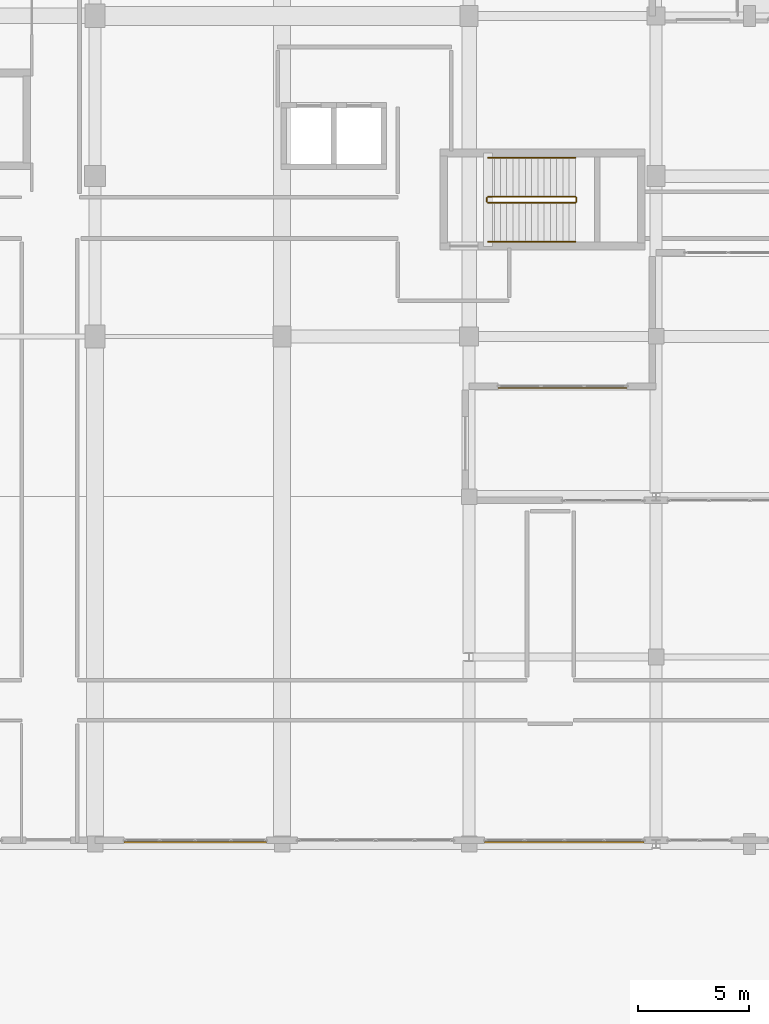
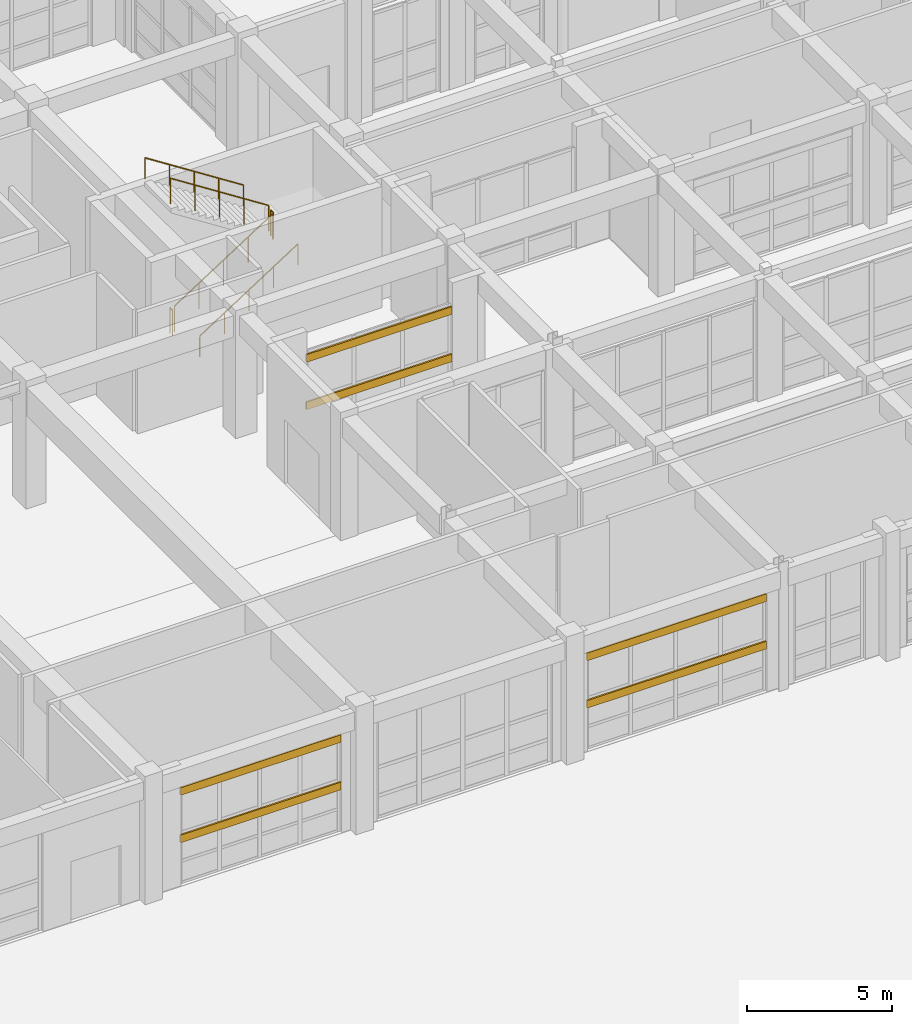
# One storey, part 145 of 148: 6 railings, 6 shading devices.
"""IFC4 building model written with IfcOpenShell, lengths in metres."""

from ifc_helpers import new_model, si_unit, direction, frame, origin, origin_2d, place, context, subcontext, project, spatial, hollow_rectangle, circle, extrude, material, material_profile, profile_set, type_object, element, save


model = new_model("IFC4")

# Units and contexts
model_context = context("Model", 3, precision=1e-05, world=origin(), true_north=direction((0.0, 1.0)))
body_context = subcontext(model_context, "Body", "Model", "MODEL_VIEW")
ifc_project = project(units=[si_unit("LENGTHUNIT", "METRE"), si_unit("AREAUNIT", "SQUARE_METRE"), si_unit("VOLUMEUNIT", "CUBIC_METRE"), si_unit("PLANEANGLEUNIT", "RADIAN"), si_unit("MASSUNIT", "GRAM", prefix="KILO")], contexts=[model_context])

# Site, building, storey
site_placement = place(None, origin())
site = spatial("IfcSite", under=ifc_project, at=site_placement, CompositionType="ELEMENT")
building_placement = place(site_placement, origin())
building = spatial("IfcBuilding", under=site, at=building_placement, Name="Quendrovan Civic Courthouse", CompositionType="ELEMENT")
storey_placement = place(building_placement, origin())
storey = spatial("IfcBuildingStorey", under=building, at=storey_placement, Name="L01", CompositionType="ELEMENT", Elevation=0.0)

# Railings
ifc_material_1 = material(Name="Painted galvanized steel", Category="steel")
railing_type_1 = type_object("IfcRailingType", Name="RL-STR-GUARD1100", PredefinedType="GUARDRAIL", material=ifc_material_1)
railing_1_placement = place(storey_placement, frame((84.85009765625, 93.60009765625, 0.179931640625)))
element("IfcRailing", 1, at=railing_1_placement, inside=storey, type_object=railing_type_1, Name="L01 ST3 stair guard 1", PredefinedType="GUARDRAIL", context=body_context, shape_type="SweptSolid", body=[
    extrude(circle(Radius=0.02392578125, at=origin_2d()), frame((0.0, 0.0, 1.076171875), z_axis=(0.841171666519, 0.0, 0.540768182723), x_axis=(0.0, 1.0, 0.0)), (0.0, 0.0, 1.0), 4.66015625),
    extrude(circle(Radius=0.02099609375, at=origin_2d()), origin(), (0.0, 0.0, 1.0), 1.052001953125),
    extrude(circle(Radius=0.02099609375, at=origin_2d()), frame((0.97998046875, 0.0, 0.6298828125)), (0.0, 0.0, 1.0), 1.052001953125),
    extrude(circle(Radius=0.02099609375, at=origin_2d()), frame((1.9599609375, 0.0, 1.260009765625)), (0.0, 0.0, 1.0), 1.052001953125),
    extrude(circle(Radius=0.02099609375, at=origin_2d()), frame((2.93994140625, 0.0, 1.89013671875)), (0.0, 0.0, 1.0), 1.052001953125),
    extrude(circle(Radius=0.02099609375, at=origin_2d()), frame((3.919921875, 0.0, 2.52001953125)), (0.0, 0.0, 1.0), 1.052001953125),
])
railing_2_placement = place(storey_placement, frame((88.820068359375, 93.64990234375, 2.699951171875)))
element("IfcRailing", 2, at=railing_2_placement, inside=storey, type_object=railing_type_1, Name="L01 ST3 stair guard 2", PredefinedType="GUARDRAIL", context=body_context, shape_type="SweptSolid", body=[
    extrude(circle(Radius=0.02392578125, at=origin_2d()), frame((0.0, 0.0, 1.076171875), z_axis=(0.0, 1.0, 0.0), x_axis=(-1.0, 0.0, 0.0)), (0.0, 0.0, 1.0), 0.18017578125),
    extrude(circle(Radius=0.02099609375, at=origin_2d()), origin(), (0.0, 0.0, 1.0), 1.052001953125),
    extrude(circle(Radius=0.02099609375, at=origin_2d()), frame((0.0, 0.18017578125, 0.0)), (0.0, 0.0, 1.0), 1.052001953125),
])
railing_3_placement = place(storey_placement, frame((88.77001953125, 93.8798828125, 2.8798828125)))
element("IfcRailing", 3, at=railing_3_placement, inside=storey, type_object=railing_type_1, Name="L01 ST3 stair guard 3", PredefinedType="GUARDRAIL", context=body_context, shape_type="SweptSolid", body=[
    extrude(circle(Radius=0.02392578125, at=origin_2d()), frame((0.0, 0.0, 1.076171875), z_axis=(-0.841171666519, 0.0, 0.540768182723), x_axis=(0.0, -1.0, 0.0)), (0.0, 0.0, 1.0), 4.66015625),
    extrude(circle(Radius=0.02099609375, at=origin_2d()), origin(), (0.0, 0.0, 1.0), 1.052001953125),
    extrude(circle(Radius=0.02099609375, at=origin_2d()), frame((-0.97998046875, 0.0, 0.6298828125)), (0.0, 0.0, 1.0), 1.052001953125),
    extrude(circle(Radius=0.02099609375, at=origin_2d()), frame((-1.9599609375, 0.0, 1.260009765625)), (0.0, 0.0, 1.0), 1.052001953125),
    extrude(circle(Radius=0.02099609375, at=origin_2d()), frame((-2.93994140625, 0.0, 1.89013671875)), (0.0, 0.0, 1.0), 1.052001953125),
    extrude(circle(Radius=0.02099609375, at=origin_2d()), frame((-3.919921875, 0.0, 2.52001953125)), (0.0, 0.0, 1.0), 1.052001953125),
])
railing_4_placement = place(storey_placement, frame((84.800048828125, 93.64990234375, 0.0)))
element("IfcRailing", 4, at=railing_4_placement, inside=storey, type_object=railing_type_1, Name="L01 ST3 stair guard 4", PredefinedType="GUARDRAIL", context=body_context, shape_type="SweptSolid", body=[
    extrude(circle(Radius=0.02392578125, at=origin_2d()), frame((0.0, 0.0, 1.076171875), z_axis=(0.0, 1.0, 0.0), x_axis=(-1.0, 0.0, 0.0)), (0.0, 0.0, 1.0), 0.18017578125),
    extrude(circle(Radius=0.02099609375, at=origin_2d()), origin(), (0.0, 0.0, 1.0), 1.052001953125),
    extrude(circle(Radius=0.02099609375, at=origin_2d()), frame((0.0, 0.18017578125, 0.0)), (0.0, 0.0, 1.0), 1.052001953125),
])
ifc_material_2 = material(Name="Bronze anodised aluminium", Category="aluminium")
railing_type_2 = type_object("IfcRailingType", Name="RL-STR-HAND900", PredefinedType="HANDRAIL", material=ifc_material_2)
railing_5_placement = place(storey_placement, frame((84.85009765625, 91.85009765625, 0.179931640625)))
element("IfcRailing", 5, at=railing_5_placement, inside=storey, type_object=railing_type_2, Name="L01 ST3 stair handrail 1", PredefinedType="HANDRAIL", context=body_context, shape_type="SweptSolid", body=[
    extrude(circle(Radius=0.02392578125, at=origin_2d()), frame((0.0, 0.0, 0.8759765625), z_axis=(0.841171666519, 0.0, 0.540768182723), x_axis=(0.0, 1.0, 0.0)), (0.0, 0.0, 1.0), 4.66015625),
    extrude(circle(Radius=0.02099609375, at=origin_2d()), origin(), (0.0, 0.0, 1.0), 0.851806640625),
    extrude(circle(Radius=0.02099609375, at=origin_2d()), frame((0.97998046875, 0.0, 0.6298828125)), (0.0, 0.0, 1.0), 0.851806640625),
    extrude(circle(Radius=0.02099609375, at=origin_2d()), frame((1.9599609375, 0.0, 1.260009765625)), (0.0, 0.0, 1.0), 0.851806640625),
    extrude(circle(Radius=0.02099609375, at=origin_2d()), frame((2.93994140625, 0.0, 1.89013671875)), (0.0, 0.0, 1.0), 0.851806640625),
    extrude(circle(Radius=0.02099609375, at=origin_2d()), frame((3.919921875, 0.0, 2.52001953125)), (0.0, 0.0, 1.0), 0.851806640625),
])
railing_6_placement = place(storey_placement, frame((88.77001953125, 95.6298828125, 2.8798828125)))
element("IfcRailing", 6, at=railing_6_placement, inside=storey, type_object=railing_type_2, Name="L01 ST3 stair handrail 2", PredefinedType="HANDRAIL", context=body_context, shape_type="SweptSolid", body=[
    extrude(circle(Radius=0.02392578125, at=origin_2d()), frame((0.0, 0.0, 0.8759765625), z_axis=(-0.841171666519, 0.0, 0.540768182723), x_axis=(0.0, -1.0, 0.0)), (0.0, 0.0, 1.0), 4.66015625),
    extrude(circle(Radius=0.02099609375, at=origin_2d()), origin(), (0.0, 0.0, 1.0), 0.851806640625),
    extrude(circle(Radius=0.02099609375, at=origin_2d()), frame((-0.97998046875, 0.0, 0.6298828125)), (0.0, 0.0, 1.0), 0.851806640625),
    extrude(circle(Radius=0.02099609375, at=origin_2d()), frame((-1.9599609375, 0.0, 1.260009765625)), (0.0, 0.0, 1.0), 0.851806640625),
    extrude(circle(Radius=0.02099609375, at=origin_2d()), frame((-2.93994140625, 0.0, 1.89013671875)), (0.0, 0.0, 1.0), 0.851806640625),
    extrude(circle(Radius=0.02099609375, at=origin_2d()), frame((-3.919921875, 0.0, 2.52001953125)), (0.0, 0.0, 1.0), 0.851806640625),
])

# Shading devices
ifc_material_profile = material_profile(ifc_material_2, hollow_rectangle(XDim=0.06494140625, YDim=0.320068359375, WallThickness=0.0048828125, at=origin_2d()), Name="AL-LOUVRE-65x320")
ifc_profile_set = profile_set([ifc_material_profile], Name="Bronze anodised aluminium")
shading_device_type = type_object("IfcShadingDeviceType", Name="SHD-STORM-LOUVRE", PredefinedType="JALOUSIE", material=ifc_profile_set)
for number, where, z_axis, x_axis, name in (
    (7, (91.10009765625, 85.284912109375, 1.949951171875), (-1.0, 0.0, 0.0), (0.0, -1.0, 0.0), "L01 Bronze Hurricane Storm Louvre SLV-051"),
    (8, (91.10009765625, 85.284912109375, 3.949951171875), (-1.0, 0.0, 0.0), (0.0, -1.0, 0.0), "L01 Bronze Hurricane Storm Louvre SLV-052"),
):
    element("IfcShadingDevice", number, at=place(storey_placement, frame(where, z_axis=z_axis, x_axis=x_axis)), inside=storey, type_object=shading_device_type, Name=name, PredefinedType="JALOUSIE", context=body_context, shape_type="SweptSolid", body=[
        extrude(hollow_rectangle(XDim=0.06494140625, YDim=0.320068359375, WallThickness=0.0048828125, at=origin_2d()), origin(), (0.0, 0.0, 1.0), 5.800048828125),
    ])
for number, where, z_axis, x_axis, name in (
    (9, (91.863037109375, 64.885009765625, 1.949951171875), (-1.0, 0.0, 0.0), (0.0, -1.0, 0.0), "L01 Bronze Hurricane Storm Louvre SLV-059"),
    (10, (91.863037109375, 64.885009765625, 3.949951171875), (-1.0, 0.0, 0.0), (0.0, -1.0, 0.0), "L01 Bronze Hurricane Storm Louvre SLV-060"),
):
    element("IfcShadingDevice", number, at=place(storey_placement, frame(where, z_axis=z_axis, x_axis=x_axis)), inside=storey, type_object=shading_device_type, Name=name, PredefinedType="JALOUSIE", context=body_context, shape_type="SweptSolid", body=[
        extrude(hollow_rectangle(XDim=0.06494140625, YDim=0.320068359375, WallThickness=0.0048828125, at=origin_2d()), origin(), (0.0, 0.0, 1.0), 7.1630859375),
    ])
for number, where, z_axis, x_axis, name in (
    (11, (74.89990234375, 64.885009765625, 1.949951171875), (-1.0, 0.0, 0.0), (0.0, -1.0, 0.0), "L01 Bronze Hurricane Storm Louvre SLV-061"),
    (12, (74.89990234375, 64.885009765625, 3.949951171875), (-1.0, 0.0, 0.0), (0.0, -1.0, 0.0), "L01 Bronze Hurricane Storm Louvre SLV-062"),
):
    element("IfcShadingDevice", number, at=place(storey_placement, frame(where, z_axis=z_axis, x_axis=x_axis)), inside=storey, type_object=shading_device_type, Name=name, PredefinedType="JALOUSIE", context=body_context, shape_type="SweptSolid", body=[
        extrude(hollow_rectangle(XDim=0.06494140625, YDim=0.320068359375, WallThickness=0.0048828125, at=origin_2d()), origin(), (0.0, 0.0, 1.0), 6.39990234375),
    ])

save(model, "model.ifc")
